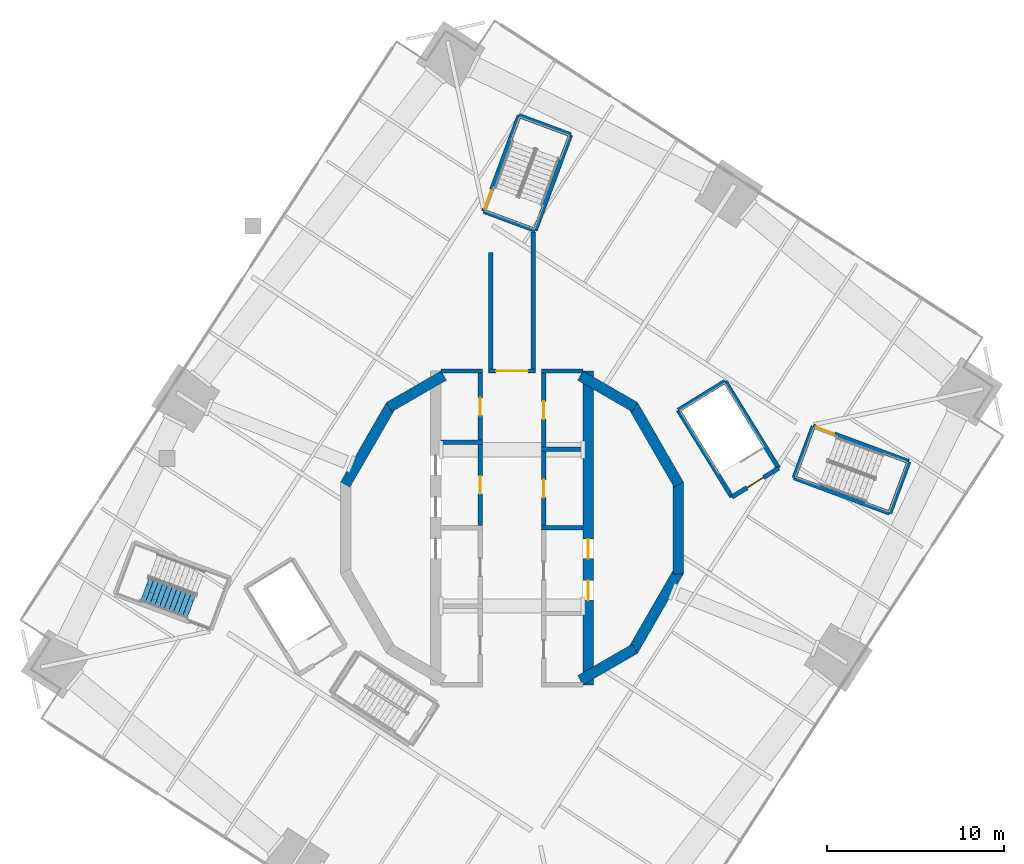
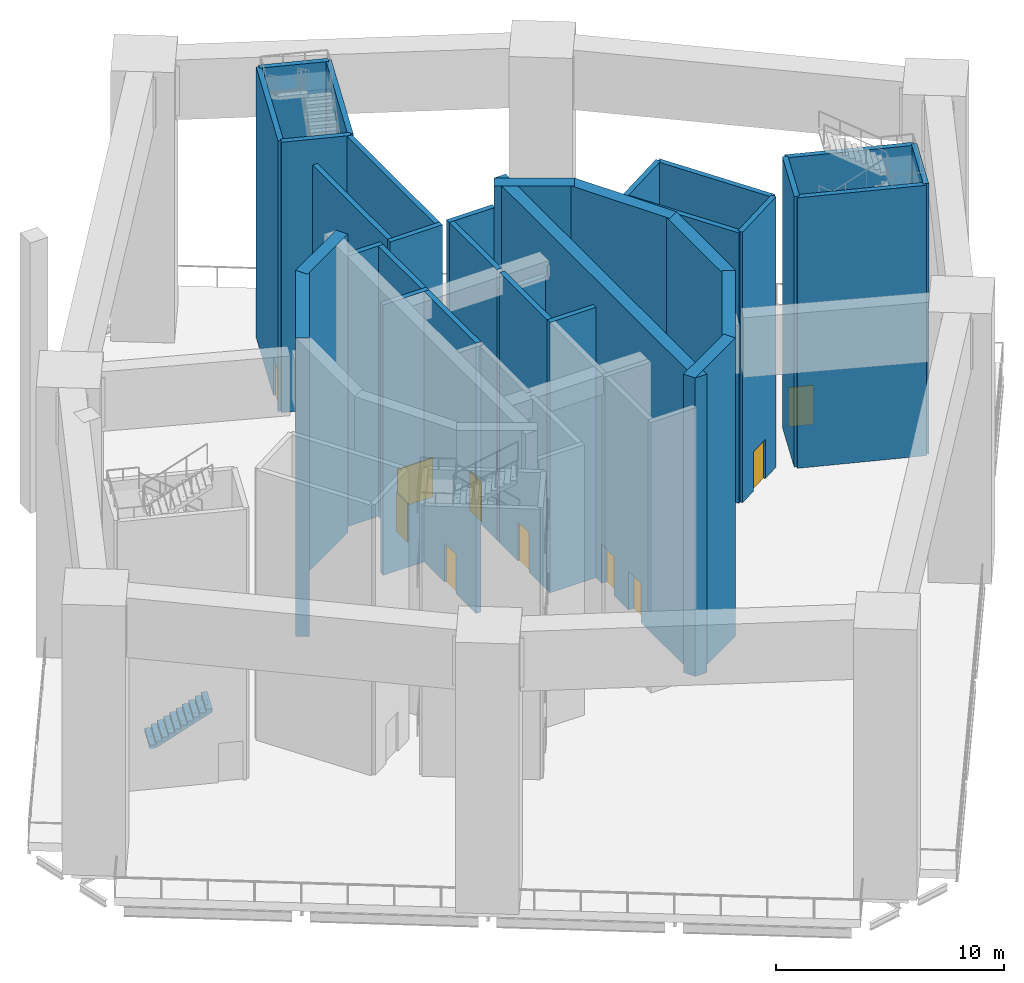
# One storey, part 4 of 16: 32 walls, 10 doors, 1 stair flight, 10 openings, 1 element without a shape of its own.
"""IFC4 building model written with IfcOpenShell, lengths in metres."""

import ifcopenshell
import ifcopenshell.guid

model = None  # the IFC model being written
_history = None  # IfcOwnerHistory: only IFC2X3 demands one
_inside = {}  # id of a spatial element -> (the spatial element, [elements in it])
_under = {}  # id of a project, library or spatial element -> (it, [spatial elements below it])
_declared = {}  # id of a project -> (the project, [libraries it declares])
_typed = {}  # id of a type object -> (the type object, [elements of that type])
_made_of = {}  # id of a material, layer set ... -> (it, [elements and type objects made of it])


def new_model(schema):
    """Start an empty IFC model of exactly this schema.

    Asked for "IFC4X3", IfcOpenShell would pick the latest addendum, in which some entities
    have other attributes; the version numbers below select the first issue.
    IFC2X3 requires an IfcOwnerHistory on every rooted entity: one is made here for all.
    """
    global model, _history
    if schema == "IFC4X3":
        model = ifcopenshell.file(schema_version=(4, 3, 0, 0))
    else:
        model = ifcopenshell.file(schema=schema)
    _inside.clear()
    _under.clear()
    _declared.clear()
    _typed.clear()
    _made_of.clear()
    _history = None
    if model.schema == "IFC2X3":
        org = make("IfcOrganization", Name="unknown")
        user = make(
            "IfcPersonAndOrganization",
            ThePerson=make("IfcPerson", FamilyName="unknown"),
            TheOrganization=org,
        )
        app = make(
            "IfcApplication",
            ApplicationDeveloper=org,
            Version="unknown",
            ApplicationFullName="unknown",
            ApplicationIdentifier="unknown",
        )
        _history = make(
            "IfcOwnerHistory",
            OwningUser=user,
            OwningApplication=app,
            ChangeAction="ADDED",
            CreationDate=0,
        )
    return model


def make(cls, **values):
    """One entity of the class cls with the attributes given. An attribute that is None is left unset."""
    return model.create_entity(
        cls, **{name: value for name, value in values.items() if value is not None}
    )


def rooted(cls, **values):
    """An entity with a GlobalId (a new one), such as an element, a storey or a relation."""
    return make(cls, GlobalId=ifcopenshell.guid.new(), OwnerHistory=_history, **values)


def si_unit(unit_type, name, prefix=None):
    """IfcSIUnit, for example si_unit("LENGTHUNIT", "METRE", prefix="MILLI")."""
    return make("IfcSIUnit", UnitType=unit_type, Prefix=prefix, Name=name)


def assignment(units):
    """IfcUnitAssignment: the units of a project."""
    return None if units is None else make("IfcUnitAssignment", Units=units)


def point(xyz):
    """IfcCartesianPoint."""
    return None if xyz is None else make("IfcCartesianPoint", Coordinates=xyz)


def direction(xyz):
    """IfcDirection."""
    return None if xyz is None else make("IfcDirection", DirectionRatios=xyz)


def frame(location, z_axis=None, x_axis=None):
    """IfcAxis2Placement3D, a coordinate frame: its origin and axes. An axis left out is left unset."""
    return make(
        "IfcAxis2Placement3D",
        Location=point(location),
        Axis=direction(z_axis),
        RefDirection=direction(x_axis),
    )


def frame_2d(location, x_axis=None):
    """IfcAxis2Placement2D, a coordinate frame in the plane: its origin and x axis."""
    return make(
        "IfcAxis2Placement2D", Location=point(location), RefDirection=direction(x_axis)
    )


def origin():
    """The frame at (0, 0, 0) with its axes left unset."""
    return frame((0.0, 0.0, 0.0))


def place(relative_to, where):
    """IfcLocalPlacement: puts the frame where relative to a parent placement (None: the world)."""
    return make(
        "IfcLocalPlacement", PlacementRelTo=relative_to, RelativePlacement=where
    )


def context(
    kind, dimensions, precision=None, world=None, true_north=None, identifier=None
):
    """IfcGeometricRepresentationContext, for example the 3D "Model" context."""
    return make(
        "IfcGeometricRepresentationContext",
        ContextIdentifier=identifier,
        ContextType=kind,
        CoordinateSpaceDimension=dimensions,
        Precision=precision,
        WorldCoordinateSystem=world,
        TrueNorth=true_north,
    )


def subcontext(parent, identifier, kind, view, scale=None):
    """IfcGeometricRepresentationSubContext, for example "Body" below "Model"."""
    return make(
        "IfcGeometricRepresentationSubContext",
        ContextIdentifier=identifier,
        ContextType=kind,
        ParentContext=parent,
        TargetScale=scale,
        TargetView=view,
    )


def project(units=None, contexts=None):
    """IfcProject with its units and contexts."""
    return rooted(
        "IfcProject",
        Name="project",
        RepresentationContexts=contexts,
        UnitsInContext=assignment(units),
    )


def spatial(cls, under=None, at=None, **own):
    """A site, building, storey or space (cls), placed at a placement, below another one or the project."""
    s = rooted(cls, ObjectPlacement=at, **own)
    if under is not None:
        _under.setdefault(under.id(), (under, []))[1].append(s)
    return s


def polyline(points):
    """IfcPolyline through the points."""
    return make("IfcPolyline", Points=[point(p) for p in points])


def profile(cls, at=None, kind="AREA", **sizes):
    """A parametric profile (cls). Its sizes go by their IFC names, for example OverallWidth=200.0."""
    return make(cls, ProfileType=kind, Position=at, **sizes)


def rectangle(**sizes):
    """IfcRectangleProfileDef."""
    return profile("IfcRectangleProfileDef", **sizes)


def outline(outer, holes=None, kind="AREA"):
    """IfcArbitraryClosedProfileDef: a profile drawn as a closed curve; with holes, ...WithVoids."""
    if holes is None:
        return make("IfcArbitraryClosedProfileDef", ProfileType=kind, OuterCurve=outer)
    return make(
        "IfcArbitraryProfileDefWithVoids",
        ProfileType=kind,
        OuterCurve=outer,
        InnerCurves=holes,
    )


def extrude(swept, where, along, depth):
    """IfcExtrudedAreaSolid: the profile swept, set in the frame where, extruded along a direction by depth."""
    return make(
        "IfcExtrudedAreaSolid",
        SweptArea=swept,
        Position=where,
        ExtrudedDirection=direction(along),
        Depth=depth,
    )


def shape(context_of_items, identifier, shape_type, items):
    """IfcShapeRepresentation: the items that make up one representation, for example the "Body"."""
    return make(
        "IfcShapeRepresentation",
        ContextOfItems=context_of_items,
        RepresentationIdentifier=identifier,
        RepresentationType=shape_type,
        Items=items,
    )


def material(Name=None, Category=None):
    """IfcMaterial."""
    return make("IfcMaterial", Name=Name, Category=Category)


def layer(
    of_material, thickness, ventilated=None, Name=None, Category=None, Priority=None
):
    """IfcMaterialLayer: one layer of a wall or slab, of a material (None: an air gap)."""
    return make(
        "IfcMaterialLayer",
        Material=of_material,
        LayerThickness=thickness,
        IsVentilated=ventilated,
        Name=Name,
        Category=Category,
        Priority=Priority,
    )


def layer_set(layers, Name=None):
    """IfcMaterialLayerSet."""
    return make("IfcMaterialLayerSet", MaterialLayers=layers, LayerSetName=Name)


def made_of(thing, what):
    """Note that an element or type object is made of a material, layer set ...; save() writes the relation."""
    if what is not None:
        _made_of.setdefault(what.id(), (what, []))[1].append(thing)
    return thing


def type_object(cls, material=None, **own):
    """A type object (cls), such as IfcWallType, which elements share."""
    return made_of(rooted(cls, **own), material)


def element(
    cls,
    number,
    at=None,
    inside=None,
    cuts=None,
    type_object=None,
    material=None,
    context=None,
    identifier="Body",
    shape_type=None,
    held_by="IfcProductDefinitionShape",
    body=None,
    shapes=None,
    **own,
):
    """One element of the class cls, such as IfcWall. Its Tag is "e" and its number.

    at: its placement. inside: the storey or other place that contains it. cuts: it is an
    opening in that element (IfcRelVoidsElement). A single representation is given by context,
    identifier, shape_type and body (its items); several are given by shapes. held_by: the class
    of the entity that holds the representations. save() writes the other relations.
    """
    e = rooted(cls, Tag="e%d" % number, ObjectPlacement=at, **own)
    if body is not None:
        shapes = [shape(context, identifier, shape_type, body)]
    if shapes is not None:
        e.Representation = make(held_by, Representations=shapes)
    if inside is not None:
        _inside.setdefault(inside.id(), (inside, []))[1].append(e)
    if cuts is not None:
        rooted(
            "IfcRelVoidsElement", RelatingBuildingElement=cuts, RelatedOpeningElement=e
        )
    if type_object is not None:
        _typed.setdefault(type_object.id(), (type_object, []))[1].append(e)
    return made_of(e, material)


def fill(opening, filler):
    """IfcRelFillsElement: the door or window that sits in an opening."""
    return rooted(
        "IfcRelFillsElement",
        RelatingOpeningElement=opening,
        RelatedBuildingElement=filler,
    )


def aggregate(whole, parts):
    """IfcRelAggregates: a whole, such as a stair, and the parts it consists of."""
    return rooted("IfcRelAggregates", RelatingObject=whole, RelatedObjects=parts)


def save(model, path):
    """Write the relations noted so far, then the file.

    IfcRelAggregates (storeys below a building ...), IfcRelContainedInSpatialStructure (elements
    in a storey), IfcRelDefinesByType, IfcRelAssociatesMaterial and IfcRelDeclares: one each for
    every whole, place, type object, material and project.
    """
    for whole, parts in _under.values():
        aggregate(whole, parts)
    for where, things in _inside.values():
        rooted(
            "IfcRelContainedInSpatialStructure",
            RelatedElements=things,
            RelatingStructure=where,
        )
    for kind, things in _typed.values():
        rooted("IfcRelDefinesByType", RelatedObjects=things, RelatingType=kind)
    for what, things in _made_of.values():
        rooted("IfcRelAssociatesMaterial", RelatedObjects=things, RelatingMaterial=what)
    for by, libraries in _declared.values():
        rooted("IfcRelDeclares", RelatingContext=by, RelatedDefinitions=libraries)
    model.write(path)


model = new_model("IFC4")

# Units and contexts
model_context = context("Model", 3, precision=1e-05, world=origin(), true_north=direction((0.0, 1.0)))
body_context = subcontext(model_context, "Body", "Model", "MODEL_VIEW")
ifc_project = project(units=[si_unit("LENGTHUNIT", "METRE"), si_unit("AREAUNIT", "SQUARE_METRE"), si_unit("VOLUMEUNIT", "CUBIC_METRE"), si_unit("PLANEANGLEUNIT", "RADIAN"), si_unit("MASSUNIT", "GRAM", prefix="KILO")], contexts=[model_context])

# Site, building, storey
site_placement = place(None, origin())
site = spatial("IfcSite", under=ifc_project, at=site_placement, CompositionType="ELEMENT")
building_placement = place(site_placement, origin())
building = spatial("IfcBuilding", under=site, at=building_placement, Name="Cantera Rosa Tower", CompositionType="ELEMENT")
storey_placement = place(building_placement, frame((0.0, 0.0, 290.10009765625)))
storey = spatial("IfcBuildingStorey", under=building, at=storey_placement, Name="L66", CompositionType="ELEMENT", Elevation=290.10009765625)

# Walls
ifc_material_1 = material(Name="Masonry blockwork", Category="masonry")
ifc_layer_1 = layer(ifc_material_1, 0.25)
ifc_layer_set_1 = layer_set([ifc_layer_1], Name="Fire-rated external wall 250")
wall_type_1 = type_object("IfcWallType", Name="Fire-rated external wall 250", PredefinedType="PARTITIONING", material=ifc_layer_set_1)
wall_1_placement = place(storey_placement, frame((-1.199951171875, 8.968994140625, 0.0), z_axis=(0.0, 0.0, 1.0), x_axis=(0.0, 1.0, 0.0)))
element("IfcWall", 1, at=wall_1_placement, inside=storey, type_object=wall_type_1, Name="Fire wall L66-20", PredefinedType="PARTITIONING", context=body_context, shape_type="SweptSolid", body=[
    extrude(rectangle(XDim=6.56591796875, YDim=0.25, at=frame_2d((3.282958984375, 0.0))), origin(), (0.0, 0.0, 1.0), 14.5),
])
wall_2_placement = place(storey_placement, frame((1.199951171875, 8.968994140625, 0.0), z_axis=(0.0, 0.0, 1.0), x_axis=(0.0, 1.0, 0.0)))
element("IfcWall", 2, at=wall_2_placement, inside=storey, type_object=wall_type_1, Name="Fire wall L66-21", PredefinedType="PARTITIONING", context=body_context, shape_type="SweptSolid", body=[
    extrude(rectangle(XDim=7.702880859375, YDim=0.25, at=frame_2d((3.8515625, 0.0))), origin(), (0.0, 0.0, 1.0), 14.5),
])

# Wall, opening, door
ifc_material_2 = material(Name="Masonry blockwork", Category="masonry")
ifc_layer_2 = layer(ifc_material_2, 0.25)
ifc_layer_set_2 = layer_set([ifc_layer_2], Name="Fire-rated wall 250")
wall_type_2 = type_object("IfcWallType", Name="Fire-rated wall 250", PredefinedType="PARTITIONING", material=ifc_layer_set_2)
wall_3_placement = place(storey_placement, frame((-1.800048828125, 0.125, 0.0), z_axis=(0.0, 0.0, 1.0), x_axis=(0.0, 1.0, 0.0)))
wall_3 = element("IfcWall", 3, at=wall_3_placement, inside=storey, type_object=wall_type_2, Name="Fire wall L66-3", PredefinedType="PARTITIONING", context=body_context, shape_type="SweptSolid", body=[
    extrude(rectangle(XDim=4.574951171875, YDim=0.25, at=frame_2d((2.28759765625, 0.0))), origin(), (0.0, 0.0, 1.0), 14.5),
])
opening_1_placement = place(wall_3_placement, frame((1.78759765625, 0.0, 0.0)))
opening_1 = element("IfcOpeningElement", 4, at=opening_1_placement, cuts=wall_3, Name="Opening L66-002", PredefinedType="OPENING", context=body_context, shape_type="SweptSolid", body=[
    extrude(rectangle(XDim=1.0, YDim=2.10009765625, at=frame_2d((0.5, 1.050048828125))), frame((0.0, 0.135009765625, 0.0), z_axis=(0.0, -1.0, 0.0), x_axis=(1.0, 0.0, 0.0)), (0.0, 0.0, 1.0), 0.27001953125),
])
ifc_material_3 = material(Name="Steel S355J2 (EN 10025-2)", Category="steel")
door_type_1 = type_object("IfcDoorType", Name="Fire door 1000x2100", OperationType="NOTDEFINED", PredefinedType="DOOR", material=ifc_material_3)
door_1_placement = place(opening_1_placement, origin())
door_1 = element("IfcDoor", 5, at=door_1_placement, inside=storey, type_object=door_type_1, Name="Door L66-002", OverallHeight=2.10009765625, OverallWidth=1.0, PredefinedType="DOOR", context=body_context, shape_type="SweptSolid", body=[
    extrude(rectangle(XDim=1.0, YDim=2.10009765625, at=frame_2d((0.5, 1.050048828125))), frame((0.0, 0.02490234375, 0.0), z_axis=(0.0, -1.0, 0.0), x_axis=(1.0, 0.0, 0.0)), (0.0, 0.0, 1.0), 0.050048828125),
])
fill(opening_1, door_1)

wall_4_placement = place(storey_placement, frame((-1.800048828125, 4.949951171875, 0.0), z_axis=(0.0, 0.0, 1.0), x_axis=(0.0, 1.0, 0.0)))
wall_4 = element("IfcWall", 6, at=wall_4_placement, inside=storey, type_object=wall_type_2, Name="Fire wall L66-4", PredefinedType="PARTITIONING", context=body_context, shape_type="SweptSolid", body=[
    extrude(rectangle(XDim=3.76904296875, YDim=0.25, at=frame_2d((1.884521484375, 0.0))), origin(), (0.0, 0.0, 1.0), 14.5),
])
opening_2_placement = place(wall_4_placement, frame((1.384521484375, 0.0, 0.0)))
opening_2 = element("IfcOpeningElement", 7, at=opening_2_placement, cuts=wall_4, Name="Opening L66-005", PredefinedType="OPENING", context=body_context, shape_type="SweptSolid", body=[
    extrude(rectangle(XDim=1.0, YDim=2.10009765625, at=frame_2d((0.5, 1.050048828125))), frame((0.0, 0.135009765625, 0.0), z_axis=(0.0, -1.0, 0.0), x_axis=(1.0, 0.0, 0.0)), (0.0, 0.0, 1.0), 0.27001953125),
])
door_2_placement = place(opening_2_placement, origin())
door_2 = element("IfcDoor", 8, at=door_2_placement, inside=storey, type_object=door_type_1, Name="Door L66-005", OverallHeight=2.10009765625, OverallWidth=1.0, PredefinedType="DOOR", context=body_context, shape_type="SweptSolid", body=[
    extrude(rectangle(XDim=1.0, YDim=2.10009765625, at=frame_2d((0.5, 1.050048828125))), frame((0.0, 0.02490234375, 0.0), z_axis=(0.0, -1.0, 0.0), x_axis=(1.0, 0.0, 0.0)), (0.0, 0.0, 1.0), 0.050048828125),
])
fill(opening_2, door_2)

# Wall
wall_5_placement = place(storey_placement, frame((-4.0, 8.843994140625, 0.0), z_axis=(0.0, 0.0, 1.0), x_axis=(1.0, 0.0, 0.0)))
element("IfcWall", 9, at=wall_5_placement, inside=storey, type_object=wall_type_2, Name="Fire wall L66-8", PredefinedType="PARTITIONING", context=body_context, shape_type="SweptSolid", body=[
    extrude(rectangle(XDim=2.324951171875, YDim=0.25, at=frame_2d((1.16259765625, 0.0))), origin(), (0.0, 0.0, 1.0), 14.5),
])

# Wall, opening, door
wall_6_placement = place(storey_placement, frame((-1.324951171875, 8.843994140625, 0.0), z_axis=(0.0, 0.0, 1.0), x_axis=(1.0, 0.0, 0.0)))
wall_6 = element("IfcWall", 10, at=wall_6_placement, inside=storey, type_object=wall_type_2, Name="Fire wall L66-9", PredefinedType="PARTITIONING", context=body_context, shape_type="SweptSolid", body=[
    extrude(rectangle(XDim=2.64990234375, YDim=0.25, at=frame_2d((1.324951171875, 0.0))), origin(), (0.0, 0.0, 1.0), 14.5),
])
opening_3_placement = place(wall_6_placement, frame((0.425048828125, 0.0, 0.0)))
opening_3 = element("IfcOpeningElement", 11, at=opening_3_placement, cuts=wall_6, Name="Opening L66-009", PredefinedType="OPENING", context=body_context, shape_type="SweptSolid", body=[
    extrude(rectangle(XDim=1.800048828125, YDim=2.10009765625, at=frame_2d((0.89990234375, 1.050048828125))), frame((0.0, 0.135009765625, 0.0), z_axis=(0.0, -1.0, 0.0), x_axis=(1.0, 0.0, 0.0)), (0.0, 0.0, 1.0), 0.27001953125),
])
ifc_material_4 = material(Name="Steel S355J2 (EN 10025-2)", Category="steel")
door_type_2 = type_object("IfcDoorType", Name="Fire double door 1800x2100", OperationType="NOTDEFINED", PredefinedType="DOOR", material=ifc_material_4)
door_3_placement = place(opening_3_placement, origin())
door_3 = element("IfcDoor", 12, at=door_3_placement, inside=storey, type_object=door_type_2, Name="Door L66-009", OperationType="DOUBLE_DOOR_SINGLE_SWING", OverallHeight=2.10009765625, OverallWidth=1.800048828125, PredefinedType="DOOR", context=body_context, shape_type="SweptSolid", body=[
    extrude(rectangle(XDim=1.800048828125, YDim=2.10009765625, at=frame_2d((0.89990234375, 1.050048828125))), frame((0.0, 0.02490234375, 0.0), z_axis=(0.0, -1.0, 0.0), x_axis=(1.0, 0.0, 0.0)), (0.0, 0.0, 1.0), 0.050048828125),
])
fill(opening_3, door_3)

# Walls
for number, where, z_axis, x_axis, name in (
    (13, (1.675048828125, 8.843994140625, 0.0), (0.0, 0.0, 1.0), (1.0, 0.0, 0.0), "Fire wall L66-10"),
    (14, (-4.0, 4.824951171875, 0.0), (0.0, 0.0, 1.0), (1.0, 0.0, 0.0), "Fire wall L66-11"),
):
    element("IfcWall", number, at=place(storey_placement, frame(where, z_axis=z_axis, x_axis=x_axis)), inside=storey, type_object=wall_type_2, Name=name, PredefinedType="PARTITIONING", context=body_context, shape_type="SweptSolid", body=[
        extrude(rectangle(XDim=2.324951171875, YDim=0.25, at=frame_2d((1.16259765625, 0.0))), origin(), (0.0, 0.0, 1.0), 14.5),
    ])

# Wall, opening, door
wall_7_placement = place(storey_placement, frame((1.800048828125, 0.125, 0.0), z_axis=(0.0, 0.0, 1.0), x_axis=(0.0, 1.0, 0.0)))
wall_7 = element("IfcWall", 15, at=wall_7_placement, inside=storey, type_object=wall_type_2, Name="Fire wall L66-15", PredefinedType="PARTITIONING", context=body_context, shape_type="SweptSolid", body=[
    extrude(rectangle(XDim=4.172119140625, YDim=0.25, at=frame_2d((2.0859375, 0.0))), origin(), (0.0, 0.0, 1.0), 14.5),
])
opening_4_placement = place(wall_7_placement, frame((1.5859375, 0.0, 0.0)))
opening_4 = element("IfcOpeningElement", 16, at=opening_4_placement, cuts=wall_7, Name="Opening L66-007", PredefinedType="OPENING", context=body_context, shape_type="SweptSolid", body=[
    extrude(rectangle(XDim=1.0, YDim=2.10009765625, at=frame_2d((0.5, 1.050048828125))), frame((0.0, 0.135009765625, 0.0), z_axis=(0.0, -1.0, 0.0), x_axis=(1.0, 0.0, 0.0)), (0.0, 0.0, 1.0), 0.27001953125),
])
door_4_placement = place(opening_4_placement, origin())
door_4 = element("IfcDoor", 17, at=door_4_placement, inside=storey, type_object=door_type_1, Name="Door L66-007", OverallHeight=2.10009765625, OverallWidth=1.0, PredefinedType="DOOR", context=body_context, shape_type="SweptSolid", body=[
    extrude(rectangle(XDim=1.0, YDim=2.10009765625, at=frame_2d((0.5, 1.050048828125))), frame((0.0, 0.02490234375, 0.0), z_axis=(0.0, -1.0, 0.0), x_axis=(1.0, 0.0, 0.0)), (0.0, 0.0, 1.0), 0.050048828125),
])
fill(opening_4, door_4)

wall_8_placement = place(storey_placement, frame((1.800048828125, 4.547119140625, 0.0), z_axis=(0.0, 0.0, 1.0), x_axis=(0.0, 1.0, 0.0)))
wall_8 = element("IfcWall", 18, at=wall_8_placement, inside=storey, type_object=wall_type_2, Name="Fire wall L66-16", PredefinedType="PARTITIONING", context=body_context, shape_type="SweptSolid", body=[
    extrude(rectangle(XDim=4.171875, YDim=0.25, at=frame_2d((2.0859375, 0.0))), origin(), (0.0, 0.0, 1.0), 14.5),
])
opening_5_placement = place(wall_8_placement, frame((1.5859375, 0.0, 0.0)))
opening_5 = element("IfcOpeningElement", 19, at=opening_5_placement, cuts=wall_8, Name="Opening L66-008", PredefinedType="OPENING", context=body_context, shape_type="SweptSolid", body=[
    extrude(rectangle(XDim=1.0, YDim=2.10009765625, at=frame_2d((0.5, 1.050048828125))), frame((0.0, 0.135009765625, 0.0), z_axis=(0.0, -1.0, 0.0), x_axis=(1.0, 0.0, 0.0)), (0.0, 0.0, 1.0), 0.27001953125),
])
door_5_placement = place(opening_5_placement, origin())
door_5 = element("IfcDoor", 20, at=door_5_placement, inside=storey, type_object=door_type_1, Name="Door L66-008", OverallHeight=2.10009765625, OverallWidth=1.0, PredefinedType="DOOR", context=body_context, shape_type="SweptSolid", body=[
    extrude(rectangle(XDim=1.0, YDim=2.10009765625, at=frame_2d((0.5, 1.050048828125))), frame((0.0, 0.02490234375, 0.0), z_axis=(0.0, -1.0, 0.0), x_axis=(1.0, 0.0, 0.0)), (0.0, 0.0, 1.0), 0.050048828125),
])
fill(opening_5, door_5)

# Walls
wall_9_placement = place(storey_placement, frame((1.675048828125, 0.0, 0.0), z_axis=(0.0, 0.0, 1.0), x_axis=(1.0, 0.0, 0.0)))
element("IfcWall", 21, at=wall_9_placement, inside=storey, type_object=wall_type_2, Name="Fire wall L66-19", PredefinedType="PARTITIONING", context=body_context, shape_type="SweptSolid", body=[
    extrude(rectangle(XDim=2.324951171875, YDim=0.25, at=frame_2d((1.16259765625, 0.0))), origin(), (0.0, 0.0, 1.0), 14.5),
])
ifc_material_5 = material(Name="Masonry blockwork", Category="masonry")
ifc_layer_3 = layer(ifc_material_5, 0.25)
ifc_layer_set_3 = layer_set([ifc_layer_3], Name="Fire-rated wall 250 H13450")
wall_type_3 = type_object("IfcWallType", Name="Fire-rated wall 250 H13450", PredefinedType="PARTITIONING", material=ifc_layer_set_3)
wall_10_placement = place(storey_placement, frame((1.675048828125, 4.422119140625, 0.0), z_axis=(0.0, 0.0, 1.0), x_axis=(1.0, 0.0, 0.0)))
element("IfcWall", 22, at=wall_10_placement, inside=storey, type_object=wall_type_3, Name="Fire wall L66-17", PredefinedType="PARTITIONING", context=body_context, shape_type="SweptSolid", body=[
    extrude(rectangle(XDim=2.324951171875, YDim=0.25, at=frame_2d((1.16259765625, 0.0))), origin(), (0.0, 0.0, 1.0), 13.449951171875),
])
ifc_material_6 = material(Name="Concrete C50/60", Category="concrete")
ifc_layer_4 = layer(ifc_material_6, 0.60009765625)
ifc_layer_set_4 = layer_set([ifc_layer_4], Name="RC CORE WALL 600 C50/60")
wall_type_4 = type_object("IfcWallType", Name="RC CORE WALL 600 C50/60", PredefinedType="SHEAR", material=ifc_layer_set_4)
wall_11_placement = place(storey_placement, frame((-9.3994140625, 2.438232421875, 0.0), z_axis=(0.0, 0.0, 1.0), x_axis=(0.499989188378, 0.866031645787, 0.0)))
element("IfcWall", 23, at=wall_11_placement, inside=storey, type_object=wall_type_4, Name="CW-W4 L66", PredefinedType="SHEAR", context=body_context, shape_type="SweptSolid", body=[
    extrude(rectangle(XDim=5.17626953125, YDim=0.60009765625, at=frame_2d((2.588134765625, 0.0))), origin(), (0.0, 0.0, 1.0), 16.0),
])
for number, where, z_axis, x_axis, name in (
    (24, (-6.921142578125, 6.811279296875, 0.0), (0.0, 0.0, 1.0), (0.866039982607, 0.499974747889, 0.0), "CW-W5 L66"),
    (25, (3.85009765625, 8.584228515625, 0.0), (0.0, 0.0, 1.0), (0.866039982607, -0.499974747889, 0.0), "CW-E1 L66"),
):
    element("IfcWall", number, at=place(storey_placement, frame(where, z_axis=z_axis, x_axis=x_axis)), inside=storey, type_object=wall_type_4, Name=name, PredefinedType="SHEAR", context=body_context, shape_type="SweptSolid", body=[
        extrude(rectangle(XDim=3.546142578125, YDim=0.60009765625, at=frame_2d((1.77294921875, 0.0))), origin(), (0.0, 0.0, 1.0), 16.0),
    ])
for number, where, z_axis, x_axis, name in (
    (26, (6.811279296875, 6.921142578125, 0.0), (0.0, 0.0, 1.0), (0.499989188378, -0.866031645787, 0.0), "CW-E2 L66"),
    (27, (9.359375, 2.588134765625, 0.0), (0.0, 0.0, 1.0), (0.0, -1.0, 0.0), "CW-E3 L66"),
    (28, (9.3994140625, -2.438232421875, 0.0), (0.0, 0.0, 1.0), (-0.499989188378, -0.866031645787, 0.0), "CW-E4 L66"),
):
    element("IfcWall", number, at=place(storey_placement, frame(where, z_axis=z_axis, x_axis=x_axis)), inside=storey, type_object=wall_type_4, Name=name, PredefinedType="SHEAR", context=body_context, shape_type="SweptSolid", body=[
        extrude(rectangle(XDim=5.17626953125, YDim=0.60009765625, at=frame_2d((2.588134765625, 0.0))), origin(), (0.0, 0.0, 1.0), 16.0),
    ])
wall_12_placement = place(storey_placement, frame((6.921142578125, -6.811279296875, 0.0), z_axis=(0.0, 0.0, 1.0), x_axis=(-0.866039982607, -0.499974747889, 0.0)))
element("IfcWall", 29, at=wall_12_placement, inside=storey, type_object=wall_type_4, Name="CW-E5 L66", PredefinedType="SHEAR", context=body_context, shape_type="SweptSolid", body=[
    extrude(rectangle(XDim=3.546142578125, YDim=0.60009765625, at=frame_2d((1.77294921875, 0.0))), origin(), (0.0, 0.0, 1.0), 16.0),
])

# Wall, openings, doors
wall_13_placement = place(storey_placement, frame((4.300048828125, -8.84423828125, 0.0), z_axis=(0.0, 0.0, 1.0), x_axis=(0.0, 1.0, 0.0)))
wall_13 = element("IfcWall", 30, at=wall_13_placement, inside=storey, type_object=wall_type_4, Name="CW-E6 L66", PredefinedType="SHEAR", context=body_context, shape_type="SweptSolid", body=[
    extrude(rectangle(XDim=17.6884765625, YDim=0.60009765625, at=frame_2d((8.84423828125, 0.0))), origin(), (0.0, 0.0, 1.0), 16.0),
])
opening_6_placement = place(wall_13_placement, frame((4.76904296875, 0.0, 0.0)))
opening_6 = element("IfcOpeningElement", 31, at=opening_6_placement, cuts=wall_13, Name="Opening LD-FF1-L66", PredefinedType="OPENING", context=body_context, shape_type="SweptSolid", body=[
    extrude(rectangle(XDim=1.10009765625, YDim=2.10009765625, at=frame_2d((0.550048828125, 1.050048828125))), frame((0.0, 0.31005859375, 0.0), z_axis=(0.0, -1.0, 0.0), x_axis=(1.0, 0.0, 0.0)), (0.0, 0.0, 1.0), 0.6201171875),
])
opening_7_placement = place(wall_13_placement, frame((7.119140625, 0.0, 0.0)))
opening_7 = element("IfcOpeningElement", 32, at=opening_7_placement, cuts=wall_13, Name="Opening LD-FF2-L66", PredefinedType="OPENING", context=body_context, shape_type="SweptSolid", body=[
    extrude(rectangle(XDim=1.10009765625, YDim=2.10009765625, at=frame_2d((0.550048828125, 1.050048828125))), frame((0.0, 0.31005859375, 0.0), z_axis=(0.0, -1.0, 0.0), x_axis=(1.0, 0.0, 0.0)), (0.0, 0.0, 1.0), 0.6201171875),
])
ifc_material_7 = material(Name="Steel S355J2 (EN 10025-2)", Category="steel")
door_type_3 = type_object("IfcDoorType", Name="LANDING DOOR 1100x2100", OperationType="NOTDEFINED", PredefinedType="DOOR", material=ifc_material_7)
door_6_placement = place(opening_6_placement, origin())
door_6 = element("IfcDoor", 33, at=door_6_placement, inside=storey, type_object=door_type_3, Name="LANDING DOOR FF1 L66", OperationType="SLIDING_TO_LEFT", OverallHeight=2.10009765625, OverallWidth=1.10009765625, PredefinedType="DOOR", context=body_context, shape_type="SweptSolid", body=[
    extrude(rectangle(XDim=1.10009765625, YDim=2.10009765625, at=frame_2d((0.550048828125, 1.050048828125))), frame((0.0, 0.02490234375, 0.0), z_axis=(0.0, -1.0, 0.0), x_axis=(1.0, 0.0, 0.0)), (0.0, 0.0, 1.0), 0.050048828125),
])
fill(opening_6, door_6)
door_7_placement = place(opening_7_placement, origin())
door_7 = element("IfcDoor", 34, at=door_7_placement, inside=storey, type_object=door_type_3, Name="LANDING DOOR FF2 L66", OperationType="SLIDING_TO_LEFT", OverallHeight=2.10009765625, OverallWidth=1.10009765625, PredefinedType="DOOR", context=body_context, shape_type="SweptSolid", body=[
    extrude(rectangle(XDim=1.10009765625, YDim=2.10009765625, at=frame_2d((0.550048828125, 1.050048828125))), frame((0.0, 0.02490234375, 0.0), z_axis=(0.0, -1.0, 0.0), x_axis=(1.0, 0.0, 0.0)), (0.0, 0.0, 1.0), 0.050048828125),
])
fill(opening_7, door_7)

# Wall, opening, door
ifc_material_8 = material(Name="Concrete C50/60", Category="concrete")
ifc_layer_5 = layer(ifc_material_8, 0.25)
ifc_layer_set_5 = layer_set([ifc_layer_5], Name="RC stair wall 250 C50/60")
wall_type_5 = type_object("IfcWallType", Name="RC stair wall 250", PredefinedType="SOLIDWALL", material=ifc_layer_set_5)
wall_14_placement = place(storey_placement, frame((16.97509765625, 5.733642578125, 0.0), z_axis=(0.0, 0.0, 1.0), x_axis=(0.93768318479, -0.347491359551, 0.0)))
wall_14 = element("IfcWall", 35, at=wall_14_placement, inside=storey, type_object=wall_type_5, Name="STAIR WALL ST-61 L66-11", PredefinedType="SOLIDWALL", context=body_context, shape_type="SweptSolid", body=[
    extrude(rectangle(XDim=5.75, YDim=0.25, at=frame_2d((2.875, 0.0))), origin(), (0.0, 0.0, 1.0), 14.5),
])
opening_8_placement = place(wall_14_placement, frame((0.14990234375, 0.0, 0.0)))
opening_8 = element("IfcOpeningElement", 36, at=opening_8_placement, cuts=wall_14, Name="Opening L66-ST-61", PredefinedType="OPENING", context=body_context, shape_type="SweptSolid", body=[
    extrude(rectangle(XDim=1.10009765625, YDim=2.10009765625, at=frame_2d((0.550048828125, 1.050048828125))), frame((0.0, 0.135009765625, 0.0), z_axis=(0.0, -1.0, 0.0), x_axis=(1.0, 0.0, 0.0)), (0.0, 0.0, 1.0), 0.27001953125),
])
ifc_material_9 = material(Name="Steel S355J2 (EN 10025-2)", Category="steel")
door_type_4 = type_object("IfcDoorType", Name="STAIR DOOR 1100x2100", OperationType="NOTDEFINED", PredefinedType="DOOR", material=ifc_material_9)
door_8_placement = place(opening_8_placement, origin())
door_8 = element("IfcDoor", 37, at=door_8_placement, inside=storey, type_object=door_type_4, Name="DOOR L66-ST-61", OperationType="NOTDEFINED", OverallHeight=2.10009765625, OverallWidth=1.10009765625, PredefinedType="DOOR", context=body_context, shape_type="SweptSolid", body=[
    extrude(rectangle(XDim=1.10009765625, YDim=2.10009765625, at=frame_2d((0.550048828125, 1.050048828125))), frame((0.0, 0.02490234375, 0.0), z_axis=(0.0, -1.0, 0.0), x_axis=(1.0, 0.0, 0.0)), (0.0, 0.0, 1.0), 0.050048828125),
])
fill(opening_8, door_8)

# Walls
wall_15_placement = place(storey_placement, frame((22.36669921875, 3.735595703125, 0.0), z_axis=(0.0, 0.0, 1.0), x_axis=(-0.347478515914, -0.937687944349, 0.0)))
element("IfcWall", 38, at=wall_15_placement, inside=storey, type_object=wall_type_5, Name="STAIR WALL ST-61 L66-21", PredefinedType="SOLIDWALL", context=body_context, shape_type="SweptSolid", body=[
    extrude(rectangle(XDim=3.099853515625, YDim=0.25, at=frame_2d((1.5498046875, 0.0))), origin(), (0.0, 0.0, 1.0), 14.5),
])
wall_16_placement = place(storey_placement, frame((21.28955078125, 0.828857421875, 0.0), z_axis=(0.0, 0.0, 1.0), x_axis=(-0.93768318479, 0.347491359551, 0.0)))
element("IfcWall", 39, at=wall_16_placement, inside=storey, type_object=wall_type_5, Name="STAIR WALL ST-61 L66-31", PredefinedType="SOLIDWALL", context=body_context, shape_type="SweptSolid", body=[
    extrude(rectangle(XDim=5.75, YDim=0.25, at=frame_2d((2.875, 0.0))), origin(), (0.0, 0.0, 1.0), 14.5),
])
wall_17_placement = place(storey_placement, frame((15.89794921875, 2.826904296875, 0.0), z_axis=(0.0, 0.0, 1.0), x_axis=(0.347478515914, 0.937687944349, 0.0)))
element("IfcWall", 40, at=wall_17_placement, inside=storey, type_object=wall_type_5, Name="STAIR WALL ST-61 L66-41", PredefinedType="SOLIDWALL", context=body_context, shape_type="SweptSolid", body=[
    extrude(rectangle(XDim=3.099853515625, YDim=0.25, at=frame_2d((1.5498046875, 0.0))), origin(), (0.0, 0.0, 1.0), 14.5),
])

# Wall, opening, door
wall_18_placement = place(storey_placement, frame((-1.599609375, 17.8427734375, 0.0), z_axis=(0.0, 0.0, 1.0), x_axis=(0.347454025918, 0.93769701923, 0.0)))
wall_18 = element("IfcWall", 41, at=wall_18_placement, inside=storey, type_object=wall_type_5, Name="STAIR WALL ST-62 L66-11", PredefinedType="SOLIDWALL", context=body_context, shape_type="SweptSolid", body=[
    extrude(rectangle(XDim=5.749755859375, YDim=0.25, at=frame_2d((2.875, 0.0))), origin(), (0.0, 0.0, 1.0), 14.5),
])
opening_9_placement = place(wall_18_placement, frame((0.14990234375, 0.0, 0.0)))
opening_9 = element("IfcOpeningElement", 42, at=opening_9_placement, cuts=wall_18, Name="Opening L66-ST-62", PredefinedType="OPENING", context=body_context, shape_type="SweptSolid", body=[
    extrude(rectangle(XDim=1.10009765625, YDim=2.10009765625, at=frame_2d((0.550048828125, 1.050048828125))), frame((0.0, 0.135009765625, 0.0), z_axis=(0.0, -1.0, 0.0), x_axis=(1.0, 0.0, 0.0)), (0.0, 0.0, 1.0), 0.27001953125),
])
door_9_placement = place(opening_9_placement, origin())
door_9 = element("IfcDoor", 43, at=door_9_placement, inside=storey, type_object=door_type_4, Name="DOOR L66-ST-62", OperationType="NOTDEFINED", OverallHeight=2.10009765625, OverallWidth=1.10009765625, PredefinedType="DOOR", context=body_context, shape_type="SweptSolid", body=[
    extrude(rectangle(XDim=1.10009765625, YDim=2.10009765625, at=frame_2d((0.550048828125, 1.050048828125))), frame((0.0, 0.02490234375, 0.0), z_axis=(0.0, -1.0, 0.0), x_axis=(1.0, 0.0, 0.0)), (0.0, 0.0, 1.0), 0.050048828125),
])
fill(opening_9, door_9)

# Walls
wall_19_placement = place(storey_placement, frame((0.398193359375, 23.234375, 0.0), z_axis=(0.0, 0.0, 1.0), x_axis=(0.937697452592, -0.347452856373, 0.0)))
element("IfcWall", 44, at=wall_19_placement, inside=storey, type_object=wall_type_5, Name="STAIR WALL ST-62 L66-21", PredefinedType="SOLIDWALL", context=body_context, shape_type="SweptSolid", body=[
    extrude(rectangle(XDim=3.10009765625, YDim=0.25, at=frame_2d((1.550048828125, 0.0))), origin(), (0.0, 0.0, 1.0), 14.5),
])
wall_20_placement = place(storey_placement, frame((3.30517578125, 22.1572265625, 0.0), z_axis=(0.0, 0.0, 1.0), x_axis=(-0.347477525084, -0.93768831152, 0.0)))
element("IfcWall", 45, at=wall_20_placement, inside=storey, type_object=wall_type_5, Name="STAIR WALL ST-62 L66-31", PredefinedType="SOLIDWALL", context=body_context, shape_type="SweptSolid", body=[
    extrude(rectangle(XDim=5.750244140625, YDim=0.25, at=frame_2d((2.875, 0.0))), origin(), (0.0, 0.0, 1.0), 14.5),
])
wall_21_placement = place(storey_placement, frame((1.30712890625, 16.765380859375, 0.0), z_axis=(0.0, 0.0, 1.0), x_axis=(-0.93766228119, 0.347547761372, 0.0)))
element("IfcWall", 46, at=wall_21_placement, inside=storey, type_object=wall_type_5, Name="STAIR WALL ST-62 L66-41", PredefinedType="SOLIDWALL", context=body_context, shape_type="SweptSolid", body=[
    extrude(rectangle(XDim=3.10009765625, YDim=0.25, at=frame_2d((1.550048828125, 0.0))), origin(), (0.0, 0.0, 1.0), 14.5),
])

# Wall, opening, door
wall_22_placement = place(storey_placement, frame((15.028564453125, 3.36669921875, 0.0), z_axis=(0.0, 0.0, 1.0), x_axis=(-0.851111635158, -0.52498474692, 0.0)))
wall_22 = element("IfcWall", 47, at=wall_22_placement, inside=storey, type_object=wall_type_5, Name="STAIR WALL ST-51 L66-11", PredefinedType="SOLIDWALL", context=body_context, shape_type="SweptSolid", body=[
    extrude(rectangle(XDim=3.10009765625, YDim=0.25, at=frame_2d((1.550048828125, 0.0))), origin(), (0.0, 0.0, 1.0), 14.5),
])
opening_10_placement = place(wall_22_placement, frame((1.0, 0.0, 0.0)))
opening_10 = element("IfcOpeningElement", 48, at=opening_10_placement, cuts=wall_22, Name="Opening L66-ST-51", PredefinedType="OPENING", context=body_context, shape_type="SweptSolid", body=[
    extrude(rectangle(XDim=1.10009765625, YDim=2.10009765625, at=frame_2d((0.550048828125, 1.050048828125))), frame((0.0, 0.135009765625, 0.0), z_axis=(0.0, -1.0, 0.0), x_axis=(1.0, 0.0, 0.0)), (0.0, 0.0, 1.0), 0.27001953125),
])
door_10_placement = place(opening_10_placement, origin())
door_10 = element("IfcDoor", 49, at=door_10_placement, inside=storey, type_object=door_type_4, Name="DOOR L66-ST-51", OperationType="NOTDEFINED", OverallHeight=2.10009765625, OverallWidth=1.10009765625, PredefinedType="DOOR", context=body_context, shape_type="SweptSolid", body=[
    extrude(rectangle(XDim=1.10009765625, YDim=2.10009765625, at=frame_2d((0.550048828125, 1.050048828125))), frame((0.0, 0.02490234375, 0.0), z_axis=(0.0, -1.0, 0.0), x_axis=(1.0, 0.0, 0.0)), (0.0, 0.0, 1.0), 0.050048828125),
])
fill(opening_10, door_10)

# Walls
wall_23_placement = place(storey_placement, frame((12.39013671875, 1.7392578125, 0.0), z_axis=(0.0, 0.0, 1.0), x_axis=(-0.524959451453, 0.85112723745, 0.0)))
element("IfcWall", 50, at=wall_23_placement, inside=storey, type_object=wall_type_5, Name="STAIR WALL ST-51 L66-21", PredefinedType="SOLIDWALL", context=body_context, shape_type="SweptSolid", body=[
    extrude(rectangle(XDim=5.75, YDim=0.25, at=frame_2d((2.875, 0.0))), origin(), (0.0, 0.0, 1.0), 14.5),
])
wall_24_placement = place(storey_placement, frame((9.37158203125, 6.63330078125, 0.0), z_axis=(0.0, 0.0, 1.0), x_axis=(0.851111635158, 0.52498474692, 0.0)))
element("IfcWall", 51, at=wall_24_placement, inside=storey, type_object=wall_type_5, Name="STAIR WALL ST-51 L66-31", PredefinedType="SOLIDWALL", context=body_context, shape_type="SweptSolid", body=[
    extrude(rectangle(XDim=3.10009765625, YDim=0.25, at=frame_2d((1.550048828125, 0.0))), origin(), (0.0, 0.0, 1.0), 14.5),
])
wall_25_placement = place(storey_placement, frame((12.010009765625, 8.2607421875, 0.0), z_axis=(0.0, 0.0, 1.0), x_axis=(0.524959451453, -0.85112723745, 0.0)))
element("IfcWall", 52, at=wall_25_placement, inside=storey, type_object=wall_type_5, Name="STAIR WALL ST-51 L66-41", PredefinedType="SOLIDWALL", context=body_context, shape_type="SweptSolid", body=[
    extrude(rectangle(XDim=5.75, YDim=0.25, at=frame_2d((2.875, 0.0))), origin(), (0.0, 0.0, 1.0), 14.5),
])

# Stair, stair flight
ifc_material_10 = material(Name="Concrete C35/45", Category="concrete")
stair_type = type_object("IfcStairType", Name="EXIT STAIR 1350 DOGLEG", PredefinedType="HALF_TURN_STAIR", material=ifc_material_10)
stair_placement = place(storey_placement, origin())
stair = element("IfcStair", 53, at=stair_placement, inside=storey, type_object=stair_type, Name="L66 ST-63", PredefinedType="HALF_TURN_STAIR")
ifc_material_11 = material(Name="Concrete C35/45", Category="concrete")
stair_flight_type = type_object("IfcStairFlightType", Name="STAIR FLIGHT 1350 R88x182", PredefinedType="STRAIGHT", material=ifc_material_11)
stair_flight_placement = place(storey_placement, frame((-20.705810546875, -3.498046875, 2.0), z_axis=(0.0, 0.0, 1.0), x_axis=(0.937686938944, -0.347481229039, 0.0)))
stair_flight = element("IfcStairFlight", 54, at=stair_flight_placement, type_object=stair_flight_type, Name="ST-63 flight 2", NumberOfRisers=11, NumberOfTreads=10, PredefinedType="STRAIGHT", RiserHeight=0.181818182, TreadLength=0.28, context=body_context, shape_type="SweptSolid", body=[
    extrude(outline(polyline([(0.0, 0.0), (0.0, 0.181884765625), (0.280029296875, 0.181884765625), (0.280029296875, 0.363525390625), (0.56005859375, 0.363525390625), (0.56005859375, 0.54541015625), (0.840087890625, 0.54541015625), (0.840087890625, 0.727294921875), (1.1201171875, 0.727294921875), (1.1201171875, 0.9091796875), (1.39990234375, 0.9091796875), (1.39990234375, 1.0908203125), (1.679931640625, 1.0908203125), (1.679931640625, 1.272705078125), (1.9599609375, 1.272705078125), (1.9599609375, 1.45458984375), (2.239990234375, 1.45458984375), (2.239990234375, 1.636474609375), (2.52001953125, 1.636474609375), (2.52001953125, 1.818115234375), (2.800048828125, 1.818115234375), (2.800048828125, 2.0), (2.800048828125, 1.639404296875), (0.275146484375, 0.0), (0.0, 0.0)])), frame((0.0, 0.675048828125, 0.0), z_axis=(0.0, -1.0, 0.0), x_axis=(1.0, 0.0, 0.0)), (0.0, 0.0, 1.0), 0.3359375),
    extrude(outline(polyline([(0.0, 0.0), (0.0, 0.181884765625), (0.280029296875, 0.181884765625), (0.280029296875, 0.363525390625), (0.56005859375, 0.363525390625), (0.56005859375, 0.54541015625), (0.840087890625, 0.54541015625), (0.840087890625, 0.727294921875), (1.1201171875, 0.727294921875), (1.1201171875, 0.9091796875), (1.39990234375, 0.9091796875), (1.39990234375, 1.0908203125), (1.679931640625, 1.0908203125), (1.679931640625, 1.272705078125), (1.9599609375, 1.272705078125), (1.9599609375, 1.45458984375), (2.239990234375, 1.45458984375), (2.239990234375, 1.636474609375), (2.52001953125, 1.636474609375), (2.52001953125, 1.818115234375), (2.800048828125, 1.818115234375), (2.800048828125, 2.0), (2.800048828125, 1.639404296875), (0.275146484375, 0.0), (0.0, 0.0)])), frame((0.0, 0.337158203125, 0.0), z_axis=(0.0, -1.0, 0.0), x_axis=(1.0, 0.0, 0.0)), (0.0, 0.0, 1.0), 0.3359375),
    extrude(outline(polyline([(0.0, 0.0), (0.0, 0.181884765625), (0.280029296875, 0.181884765625), (0.280029296875, 0.363525390625), (0.56005859375, 0.363525390625), (0.56005859375, 0.54541015625), (0.840087890625, 0.54541015625), (0.840087890625, 0.727294921875), (1.1201171875, 0.727294921875), (1.1201171875, 0.9091796875), (1.39990234375, 0.9091796875), (1.39990234375, 1.0908203125), (1.679931640625, 1.0908203125), (1.679931640625, 1.272705078125), (1.9599609375, 1.272705078125), (1.9599609375, 1.45458984375), (2.239990234375, 1.45458984375), (2.239990234375, 1.636474609375), (2.52001953125, 1.636474609375), (2.52001953125, 1.818115234375), (2.800048828125, 1.818115234375), (2.800048828125, 2.0), (2.800048828125, 1.639404296875), (0.275146484375, 0.0), (0.0, 0.0)])), frame((0.0, -0.000732421875, 0.0), z_axis=(0.0, -1.0, 0.0), x_axis=(1.0, 0.0, 0.0)), (0.0, 0.0, 1.0), 0.3359375),
    extrude(outline(polyline([(0.0, 0.0), (0.0, 0.181884765625), (0.280029296875, 0.181884765625), (0.280029296875, 0.363525390625), (0.56005859375, 0.363525390625), (0.56005859375, 0.54541015625), (0.840087890625, 0.54541015625), (0.840087890625, 0.727294921875), (1.1201171875, 0.727294921875), (1.1201171875, 0.9091796875), (1.39990234375, 0.9091796875), (1.39990234375, 1.0908203125), (1.679931640625, 1.0908203125), (1.679931640625, 1.272705078125), (1.9599609375, 1.272705078125), (1.9599609375, 1.45458984375), (2.239990234375, 1.45458984375), (2.239990234375, 1.636474609375), (2.52001953125, 1.636474609375), (2.52001953125, 1.818115234375), (2.800048828125, 1.818115234375), (2.800048828125, 2.0), (2.800048828125, 1.639404296875), (0.275146484375, 0.0), (0.0, 0.0)])), frame((0.0, -0.338623046875, 0.0), z_axis=(0.0, -1.0, 0.0), x_axis=(1.0, 0.0, 0.0)), (0.0, 0.0, 1.0), 0.3359375),
])
aggregate(stair, [stair_flight])

save(model, "model.ifc")
